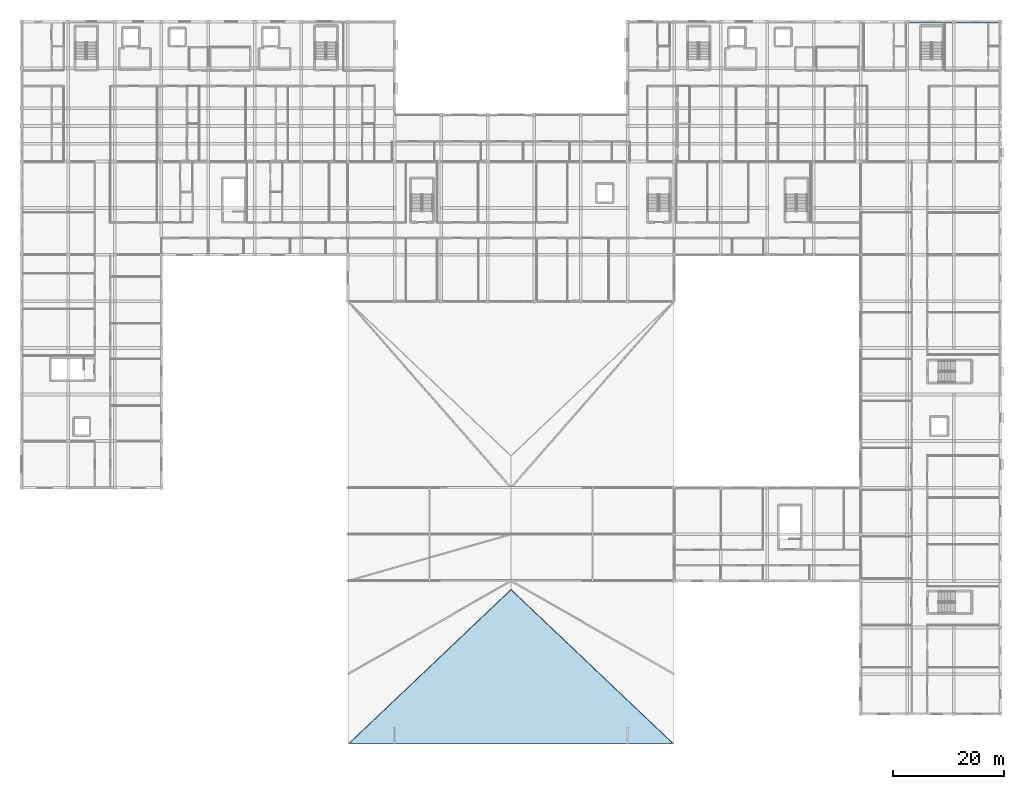
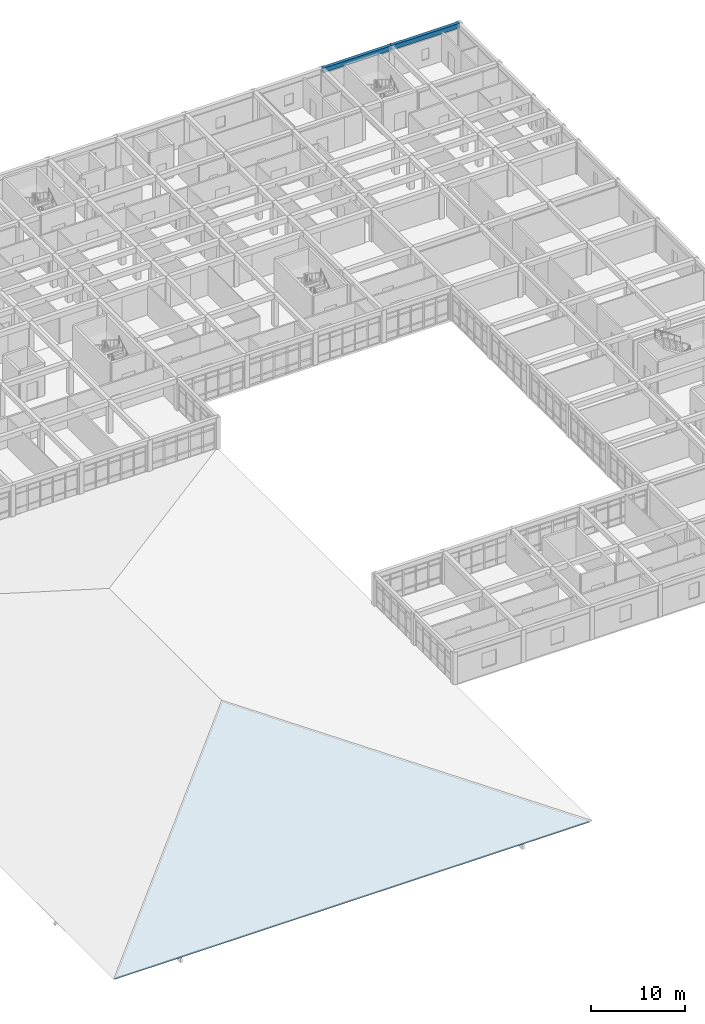
# One storey, part 32 of 77: 2 beams, 1 slab.
"""IFC4 building model written with IfcOpenShell, lengths in metres."""

import ifcopenshell
import ifcopenshell.guid

model = None  # the IFC model being written
_history = None  # IfcOwnerHistory: only IFC2X3 demands one
_inside = {}  # id of a spatial element -> (the spatial element, [elements in it])
_under = {}  # id of a project, library or spatial element -> (it, [spatial elements below it])
_declared = {}  # id of a project -> (the project, [libraries it declares])
_typed = {}  # id of a type object -> (the type object, [elements of that type])
_made_of = {}  # id of a material, layer set ... -> (it, [elements and type objects made of it])


def new_model(schema):
    """Start an empty IFC model of exactly this schema.

    Asked for "IFC4X3", IfcOpenShell would pick the latest addendum, in which some entities
    have other attributes; the version numbers below select the first issue.
    IFC2X3 requires an IfcOwnerHistory on every rooted entity: one is made here for all.
    """
    global model, _history
    if schema == "IFC4X3":
        model = ifcopenshell.file(schema_version=(4, 3, 0, 0))
    else:
        model = ifcopenshell.file(schema=schema)
    _inside.clear()
    _under.clear()
    _declared.clear()
    _typed.clear()
    _made_of.clear()
    _history = None
    if model.schema == "IFC2X3":
        org = make("IfcOrganization", Name="unknown")
        user = make(
            "IfcPersonAndOrganization",
            ThePerson=make("IfcPerson", FamilyName="unknown"),
            TheOrganization=org,
        )
        app = make(
            "IfcApplication",
            ApplicationDeveloper=org,
            Version="unknown",
            ApplicationFullName="unknown",
            ApplicationIdentifier="unknown",
        )
        _history = make(
            "IfcOwnerHistory",
            OwningUser=user,
            OwningApplication=app,
            ChangeAction="ADDED",
            CreationDate=0,
        )
    return model


def make(cls, **values):
    """One entity of the class cls with the attributes given. An attribute that is None is left unset."""
    return model.create_entity(
        cls, **{name: value for name, value in values.items() if value is not None}
    )


def rooted(cls, **values):
    """An entity with a GlobalId (a new one), such as an element, a storey or a relation."""
    return make(cls, GlobalId=ifcopenshell.guid.new(), OwnerHistory=_history, **values)


def si_unit(unit_type, name, prefix=None):
    """IfcSIUnit, for example si_unit("LENGTHUNIT", "METRE", prefix="MILLI")."""
    return make("IfcSIUnit", UnitType=unit_type, Prefix=prefix, Name=name)


def assignment(units):
    """IfcUnitAssignment: the units of a project."""
    return None if units is None else make("IfcUnitAssignment", Units=units)


def point(xyz):
    """IfcCartesianPoint."""
    return None if xyz is None else make("IfcCartesianPoint", Coordinates=xyz)


def direction(xyz):
    """IfcDirection."""
    return None if xyz is None else make("IfcDirection", DirectionRatios=xyz)


def frame(location, z_axis=None, x_axis=None):
    """IfcAxis2Placement3D, a coordinate frame: its origin and axes. An axis left out is left unset."""
    return make(
        "IfcAxis2Placement3D",
        Location=point(location),
        Axis=direction(z_axis),
        RefDirection=direction(x_axis),
    )


def frame_2d(location, x_axis=None):
    """IfcAxis2Placement2D, a coordinate frame in the plane: its origin and x axis."""
    return make(
        "IfcAxis2Placement2D", Location=point(location), RefDirection=direction(x_axis)
    )


def origin():
    """The frame at (0, 0, 0) with its axes left unset."""
    return frame((0.0, 0.0, 0.0))


def origin_2d():
    """The frame at (0, 0) in the plane with its x axis left unset."""
    return frame_2d((0.0, 0.0))


def place(relative_to, where):
    """IfcLocalPlacement: puts the frame where relative to a parent placement (None: the world)."""
    return make(
        "IfcLocalPlacement", PlacementRelTo=relative_to, RelativePlacement=where
    )


def context(
    kind, dimensions, precision=None, world=None, true_north=None, identifier=None
):
    """IfcGeometricRepresentationContext, for example the 3D "Model" context."""
    return make(
        "IfcGeometricRepresentationContext",
        ContextIdentifier=identifier,
        ContextType=kind,
        CoordinateSpaceDimension=dimensions,
        Precision=precision,
        WorldCoordinateSystem=world,
        TrueNorth=true_north,
    )


def subcontext(parent, identifier, kind, view, scale=None):
    """IfcGeometricRepresentationSubContext, for example "Body" below "Model"."""
    return make(
        "IfcGeometricRepresentationSubContext",
        ContextIdentifier=identifier,
        ContextType=kind,
        ParentContext=parent,
        TargetScale=scale,
        TargetView=view,
    )


def project(units=None, contexts=None):
    """IfcProject with its units and contexts."""
    return rooted(
        "IfcProject",
        Name="project",
        RepresentationContexts=contexts,
        UnitsInContext=assignment(units),
    )


def spatial(cls, under=None, at=None, **own):
    """A site, building, storey or space (cls), placed at a placement, below another one or the project."""
    s = rooted(cls, ObjectPlacement=at, **own)
    if under is not None:
        _under.setdefault(under.id(), (under, []))[1].append(s)
    return s


def polyline(points):
    """IfcPolyline through the points."""
    return make("IfcPolyline", Points=[point(p) for p in points])


def profile(cls, at=None, kind="AREA", **sizes):
    """A parametric profile (cls). Its sizes go by their IFC names, for example OverallWidth=200.0."""
    return make(cls, ProfileType=kind, Position=at, **sizes)


def rectangle(**sizes):
    """IfcRectangleProfileDef."""
    return profile("IfcRectangleProfileDef", **sizes)


def outline(outer, holes=None, kind="AREA"):
    """IfcArbitraryClosedProfileDef: a profile drawn as a closed curve; with holes, ...WithVoids."""
    if holes is None:
        return make("IfcArbitraryClosedProfileDef", ProfileType=kind, OuterCurve=outer)
    return make(
        "IfcArbitraryProfileDefWithVoids",
        ProfileType=kind,
        OuterCurve=outer,
        InnerCurves=holes,
    )


def extrude(swept, where, along, depth):
    """IfcExtrudedAreaSolid: the profile swept, set in the frame where, extruded along a direction by depth."""
    return make(
        "IfcExtrudedAreaSolid",
        SweptArea=swept,
        Position=where,
        ExtrudedDirection=direction(along),
        Depth=depth,
    )


def shape(context_of_items, identifier, shape_type, items):
    """IfcShapeRepresentation: the items that make up one representation, for example the "Body"."""
    return make(
        "IfcShapeRepresentation",
        ContextOfItems=context_of_items,
        RepresentationIdentifier=identifier,
        RepresentationType=shape_type,
        Items=items,
    )


def material(Name=None, Category=None):
    """IfcMaterial."""
    return make("IfcMaterial", Name=Name, Category=Category)


def layer(
    of_material, thickness, ventilated=None, Name=None, Category=None, Priority=None
):
    """IfcMaterialLayer: one layer of a wall or slab, of a material (None: an air gap)."""
    return make(
        "IfcMaterialLayer",
        Material=of_material,
        LayerThickness=thickness,
        IsVentilated=ventilated,
        Name=Name,
        Category=Category,
        Priority=Priority,
    )


def layer_set(layers, Name=None):
    """IfcMaterialLayerSet."""
    return make("IfcMaterialLayerSet", MaterialLayers=layers, LayerSetName=Name)


def material_profile(
    of_material, cross_section, Name=None, Category=None, Priority=None
):
    """IfcMaterialProfile: a cross section and its material."""
    return make(
        "IfcMaterialProfile",
        Name=Name,
        Material=of_material,
        Profile=cross_section,
        Priority=Priority,
        Category=Category,
    )


def profile_set(profiles, Name=None, composite=None):
    """IfcMaterialProfileSet."""
    return make(
        "IfcMaterialProfileSet",
        Name=Name,
        MaterialProfiles=profiles,
        CompositeProfile=composite,
    )


def made_of(thing, what):
    """Note that an element or type object is made of a material, layer set ...; save() writes the relation."""
    if what is not None:
        _made_of.setdefault(what.id(), (what, []))[1].append(thing)
    return thing


def type_object(cls, material=None, **own):
    """A type object (cls), such as IfcWallType, which elements share."""
    return made_of(rooted(cls, **own), material)


def element(
    cls,
    number,
    at=None,
    inside=None,
    cuts=None,
    type_object=None,
    material=None,
    context=None,
    identifier="Body",
    shape_type=None,
    held_by="IfcProductDefinitionShape",
    body=None,
    shapes=None,
    **own,
):
    """One element of the class cls, such as IfcWall. Its Tag is "e" and its number.

    at: its placement. inside: the storey or other place that contains it. cuts: it is an
    opening in that element (IfcRelVoidsElement). A single representation is given by context,
    identifier, shape_type and body (its items); several are given by shapes. held_by: the class
    of the entity that holds the representations. save() writes the other relations.
    """
    e = rooted(cls, Tag="e%d" % number, ObjectPlacement=at, **own)
    if body is not None:
        shapes = [shape(context, identifier, shape_type, body)]
    if shapes is not None:
        e.Representation = make(held_by, Representations=shapes)
    if inside is not None:
        _inside.setdefault(inside.id(), (inside, []))[1].append(e)
    if cuts is not None:
        rooted(
            "IfcRelVoidsElement", RelatingBuildingElement=cuts, RelatedOpeningElement=e
        )
    if type_object is not None:
        _typed.setdefault(type_object.id(), (type_object, []))[1].append(e)
    return made_of(e, material)


def aggregate(whole, parts):
    """IfcRelAggregates: a whole, such as a stair, and the parts it consists of."""
    return rooted("IfcRelAggregates", RelatingObject=whole, RelatedObjects=parts)


def save(model, path):
    """Write the relations noted so far, then the file.

    IfcRelAggregates (storeys below a building ...), IfcRelContainedInSpatialStructure (elements
    in a storey), IfcRelDefinesByType, IfcRelAssociatesMaterial and IfcRelDeclares: one each for
    every whole, place, type object, material and project.
    """
    for whole, parts in _under.values():
        aggregate(whole, parts)
    for where, things in _inside.values():
        rooted(
            "IfcRelContainedInSpatialStructure",
            RelatedElements=things,
            RelatingStructure=where,
        )
    for kind, things in _typed.values():
        rooted("IfcRelDefinesByType", RelatedObjects=things, RelatingType=kind)
    for what, things in _made_of.values():
        rooted("IfcRelAssociatesMaterial", RelatedObjects=things, RelatingMaterial=what)
    for by, libraries in _declared.values():
        rooted("IfcRelDeclares", RelatingContext=by, RelatedDefinitions=libraries)
    model.write(path)


model = new_model("IFC4")

# Units and contexts
model_context = context("Model", 3, precision=1e-05, world=origin(), true_north=direction((0.0, 1.0)))
body_context = subcontext(model_context, "Body", "Model", "MODEL_VIEW")
ifc_project = project(units=[si_unit("LENGTHUNIT", "METRE"), si_unit("AREAUNIT", "SQUARE_METRE"), si_unit("VOLUMEUNIT", "CUBIC_METRE"), si_unit("PLANEANGLEUNIT", "RADIAN"), si_unit("MASSUNIT", "GRAM", prefix="KILO")], contexts=[model_context])

# Site, building, storey
site_placement = place(None, origin())
site = spatial("IfcSite", under=ifc_project, at=site_placement, CompositionType="ELEMENT")
building_placement = place(site_placement, origin())
building = spatial("IfcBuilding", under=site, at=building_placement, Name="Varncliffe General Hospital", CompositionType="ELEMENT")
storey_placement = place(building_placement, frame((0.0, 0.0, 16.199951171875)))
storey = spatial("IfcBuildingStorey", under=building, at=storey_placement, Name="L03", CompositionType="ELEMENT", Elevation=16.199951171875)

# Beams
ifc_material_1 = material(Name="Concrete C35/45 (CSA A23.1 35 MPa)", Category="concrete")
ifc_material_profile = material_profile(ifc_material_1, rectangle(XDim=0.39990234375, YDim=0.60009765625, at=origin_2d()), Name="RC 400x600")
ifc_profile_set = profile_set([ifc_material_profile], Name="Concrete C35/45 (CSA A23.1 35 MPa)")
beam_type = type_object("IfcBeamType", Name="Spandrel SP58 (Ext RC 400x600B)", PredefinedType="SPANDREL", material=ifc_profile_set)
for number, where, z_axis, x_axis, name in (
    (1, (159.60009765625, 124.800048828125, 3.900146484375), (1.0, 0.0, 0.0), (0.0, 1.0, 0.0), "L03 Spandrel Beam SP58-211"),
    (2, (168.0, 124.800048828125, 3.900146484375), (1.0, 0.0, 0.0), (0.0, 1.0, 0.0), "L03 Spandrel Beam SP58-212"),
):
    element("IfcBeam", number, at=place(storey_placement, frame(where, z_axis=z_axis, x_axis=x_axis)), inside=storey, type_object=beam_type, Name=name, PredefinedType="SPANDREL", context=body_context, shape_type="SweptSolid", body=[
        extrude(rectangle(XDim=0.39990234375, YDim=0.60009765625, at=origin_2d()), origin(), (0.0, 0.0, 1.0), 8.39990234375),
    ])

# Slab
ifc_material_2 = material(Name="Glulam GL28h (CSA O86 24f-EX, 30 MPa)", Category="wood")
ifc_layer = layer(ifc_material_2, 0.239990234375)
ifc_layer_set = layer_set([ifc_layer], Name="Glulam GL28h (CSA O86 24f-EX, 30 MPa)")
slab_type = type_object("IfcSlabType", Name="Roof Slab SL37 (Ext 240mm)", PredefinedType="ROOF", material=ifc_layer_set)
slab_placement = place(storey_placement, frame((59.080078125, -5.260009765625, 0.0), z_axis=(0.0, -0.308109231237, 0.95135098761), x_axis=(1.0, 0.0, 0.0)))
element("IfcSlab", 3, at=slab_placement, inside=storey, type_object=slab_type, Name="L03 RF-V1-MAIN Hipped Roof Slab S", PredefinedType="ROOF", context=body_context, shape_type="SweptSolid", body=[
    extrude(outline(polyline([(0.0, 0.0), (58.239990234375, 0.0), (29.119873046875, 29.063828916827685), (0.0, 0.0)])), origin(), (0.0, 0.0, -1.0), 0.239990234375),
])

save(model, "model.ifc")
